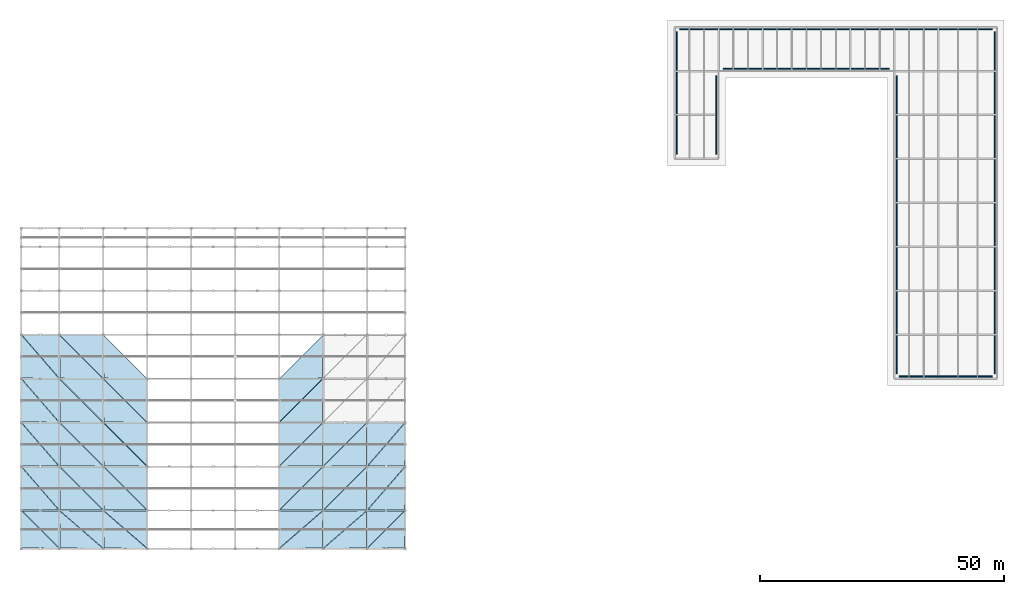
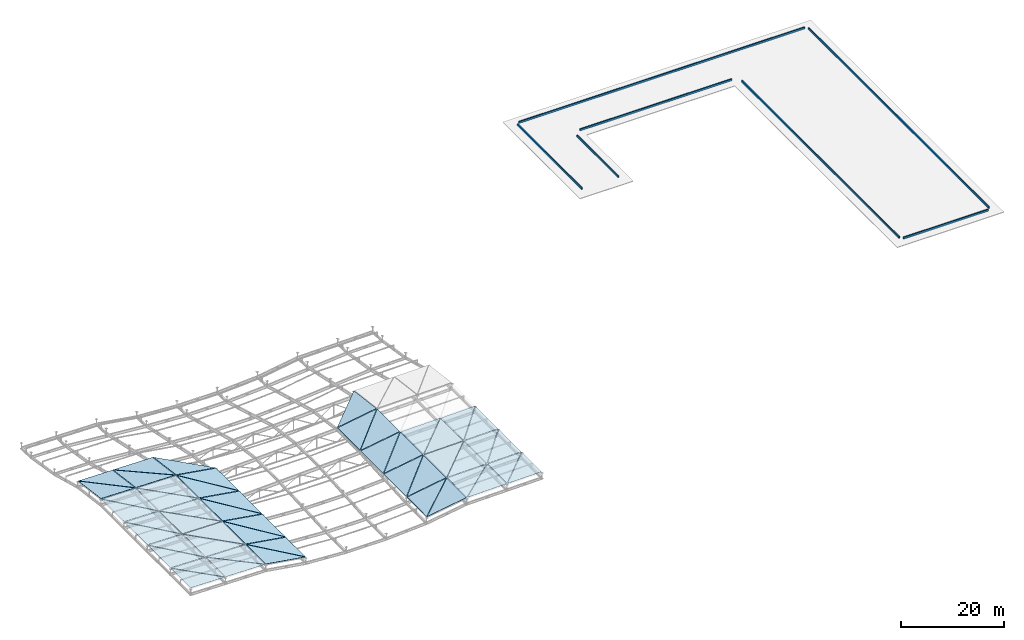
# One storey, part 78 of 80: 50 roofs, 7 walls.
"""IFC4 building model written with IfcOpenShell, lengths in metres."""

from ifc_helpers import new_model, si_unit, direction, frame, frame_2d, origin, place, context, subcontext, project, spatial, polyline, rectangle, outline, extrude, material, layer, layer_set, type_object, element, save


model = new_model("IFC4")

# Units and contexts
model_context = context("Model", 3, precision=1e-05, world=origin(), true_north=direction((0.0, 1.0)))
body_context = subcontext(model_context, "Body", "Model", "MODEL_VIEW")
ifc_project = project(units=[si_unit("LENGTHUNIT", "METRE"), si_unit("AREAUNIT", "SQUARE_METRE"), si_unit("VOLUMEUNIT", "CUBIC_METRE"), si_unit("PLANEANGLEUNIT", "RADIAN"), si_unit("MASSUNIT", "GRAM", prefix="KILO")], contexts=[model_context])

# Site, building, storey
site_placement = place(None, origin())
site = spatial("IfcSite", under=ifc_project, at=site_placement, CompositionType="ELEMENT")
building_placement = place(site_placement, origin())
building = spatial("IfcBuilding", under=site, at=building_placement, Name="Barlavento Convention Centre", CompositionType="ELEMENT")
storey_placement = place(building_placement, frame((0.0, 0.0, 29.800048828125)))
storey = spatial("IfcBuildingStorey", under=building, at=storey_placement, Name="RF", CompositionType="ELEMENT", Elevation=29.800048828125)

# Walls
ifc_material_1 = material(Name="Precast concrete C40/50 coping curb", Category="concrete")
ifc_layer_1 = layer(ifc_material_1, 0.22509765625)
ifc_layer_set_1 = layer_set([ifc_layer_1], Name="ARC-WL-PAR-225")
wall_type = type_object("IfcWallType", Name="ARC-WL-PAR-225", PredefinedType="PARAPET", material=ifc_layer_set_1)
wall_1_placement = place(storey_placement, frame((172.0, 27.449951171875, 0.08984375), z_axis=(0.0, 0.0, 1.0), x_axis=(1.0, 0.0, 0.0)))
element("IfcWall", 1, at=wall_1_placement, inside=storey, type_object=wall_type, Name="RF exterior wall PW01", PredefinedType="PARAPET", context=body_context, shape_type="SweptSolid", body=[
    extrude(rectangle(XDim=19.0, YDim=0.22509765625, at=frame_2d((9.5, 0.0))), origin(), (0.0, 0.0, 1.0), 0.489990234375),
])
wall_2_placement = place(storey_placement, frame((191.550048828125, 28.0, 0.08984375), z_axis=(0.0, 0.0, 1.0), x_axis=(0.0, 1.0, 0.0)))
element("IfcWall", 2, at=wall_2_placement, inside=storey, type_object=wall_type, Name="RF exterior wall PW01", PredefinedType="PARAPET", context=body_context, shape_type="SweptSolid", body=[
    extrude(rectangle(XDim=70.0, YDim=0.22509765625, at=frame_2d((35.0, 0.0))), origin(), (0.0, 0.0, 1.0), 0.489990234375),
])
wall_3_placement = place(storey_placement, frame((191.0, 98.550048828125, 0.08984375), z_axis=(0.0, 0.0, 1.0), x_axis=(-1.0, 0.0, 0.0)))
element("IfcWall", 3, at=wall_3_placement, inside=storey, type_object=wall_type, Name="RF exterior wall PW01", PredefinedType="PARAPET", context=body_context, shape_type="SweptSolid", body=[
    extrude(rectangle(XDim=64.0, YDim=0.22509765625, at=frame_2d((32.0, 0.0))), origin(), (0.0, 0.0, 1.0), 0.489990234375),
])
wall_4_placement = place(storey_placement, frame((126.449951171875, 98.0, 0.08984375), z_axis=(0.0, 0.0, 1.0), x_axis=(0.0, -1.0, 0.0)))
element("IfcWall", 4, at=wall_4_placement, inside=storey, type_object=wall_type, Name="RF exterior wall PW01", PredefinedType="PARAPET", context=body_context, shape_type="SweptSolid", body=[
    extrude(rectangle(XDim=25.0, YDim=0.22509765625, at=frame_2d((12.5, 0.0))), origin(), (0.0, 0.0, 1.0), 0.489990234375),
])
wall_5_placement = place(storey_placement, frame((134.550048828125, 73.0, 0.08984375), z_axis=(0.0, 0.0, 1.0), x_axis=(0.0, 1.0, 0.0)))
element("IfcWall", 5, at=wall_5_placement, inside=storey, type_object=wall_type, Name="RF exterior wall PW01", PredefinedType="PARAPET", context=body_context, shape_type="SweptSolid", body=[
    extrude(rectangle(XDim=16.0, YDim=0.22509765625, at=frame_2d((8.0, 0.0))), origin(), (0.0, 0.0, 1.0), 0.489990234375),
])
wall_6_placement = place(storey_placement, frame((136.0, 90.449951171875, 0.08984375), z_axis=(0.0, 0.0, 1.0), x_axis=(1.0, 0.0, 0.0)))
element("IfcWall", 6, at=wall_6_placement, inside=storey, type_object=wall_type, Name="RF exterior wall PW01", PredefinedType="PARAPET", context=body_context, shape_type="SweptSolid", body=[
    extrude(rectangle(XDim=34.0, YDim=0.22509765625, at=frame_2d((17.0, 0.0))), origin(), (0.0, 0.0, 1.0), 0.489990234375),
])
wall_7_placement = place(storey_placement, frame((171.449951171875, 89.0, 0.08984375), z_axis=(0.0, 0.0, 1.0), x_axis=(0.0, -1.0, 0.0)))
element("IfcWall", 7, at=wall_7_placement, inside=storey, type_object=wall_type, Name="RF exterior wall PW01", PredefinedType="PARAPET", context=body_context, shape_type="SweptSolid", body=[
    extrude(rectangle(XDim=61.0, YDim=0.22509765625, at=frame_2d((30.5, 0.0))), origin(), (0.0, 0.0, 1.0), 0.489990234375),
])

# Roofs
ifc_material_2 = material(Name="PVDF standing-seam aluminium roof deck", Category="aluminium")
ifc_layer_2 = layer(ifc_material_2, 0.050048828125)
ifc_layer_set_2 = layer_set([ifc_layer_2], Name="ARC-ROOF-CONG-FREE")
roof_type = type_object("IfcRoofType", Name="ARC-ROOF-CONG-FREE", PredefinedType="FREEFORM", material=ifc_layer_set_2)
roof_1_placement = place(storey_placement, frame((-7.715087890625, -7.715087890625, 1.8466796875), z_axis=(0.014503766492, -4.598938e-06, 0.999894814836), x_axis=(0.999886380747, -0.004107232012, -0.014503663043)))
element("IfcRoof", 8, at=roof_1_placement, inside=storey, type_object=roof_type, Name="Congress standing-seam roof deck 001", PredefinedType="FREEFORM", context=body_context, shape_type="SweptSolid", body=[
    extrude(outline(polyline([(0.0, 0.0), (7.608530491175136, -5.580253056511331e-18), (-0.06249998066341369, 7.6074734806393645), (0.0, 0.0)])), origin(), (0.0, 0.0, -1.0), 0.050048828125),
])
roof_2_placement = place(storey_placement, frame((-0.0537109375, -7.692626953125, 1.735595703125), z_axis=(0.014503766492, -4.598938e-06, 0.999894814836), x_axis=(-0.004107664063, 0.999991561453, 6.4182251e-05)))
element("IfcRoof", 9, at=roof_2_placement, inside=storey, type_object=roof_type, Name="Congress standing-seam roof deck 002", PredefinedType="FREEFORM", context=body_context, shape_type="SweptSolid", body=[
    extrude(outline(polyline([(0.0, 0.0), (7.607730213816349, -5.193158999616115e-18), (7.670236769018823, 7.608273730991708), (0.0, 0.0)])), origin(), (0.0, 0.0, -1.0), 0.050048828125),
])
roof_3_placement = place(storey_placement, frame((-7.721435546875, 0.0908203125, 1.846923828125), z_axis=(0.014517328325, 2.3009593e-05, 0.999894617772), x_axis=(0.999886467999, -0.004037873625, -0.01451711708)))
element("IfcRoof", 10, at=roof_3_placement, inside=storey, type_object=roof_type, Name="Congress standing-seam roof deck 003", PredefinedType="FREEFORM", context=body_context, shape_type="SweptSolid", body=[
    extrude(outline(polyline([(0.0, 0.0), (7.61829656107486, -2.9002408113987244e-18), (-0.06629131235279298, 8.798876322607494), (0.0, 0.0)])), origin(), (0.0, 0.0, -1.0), 0.050048828125),
])
roof_4_placement = place(storey_placement, frame((-0.047607421875, 0.110107421875, 1.735595703125), z_axis=(0.014517329951, 2.3412399e-05, 0.999894617739), x_axis=(-0.003523742723, 0.999993791214, 2.7746006e-05)))
element("IfcRoof", 11, at=roof_4_placement, inside=storey, type_object=roof_type, Name="Congress standing-seam roof deck 004", PredefinedType="FREEFORM", context=body_context, shape_type="SweptSolid", body=[
    extrude(outline(polyline([(0.0, 0.0), (8.799126897517237, 2.428443459778079e-18), (8.8567333631759, 7.6180787596085775), (0.0, 0.0)])), origin(), (0.0, 0.0, -1.0), 0.050048828125),
])
roof_5_placement = place(storey_placement, frame((-7.721435546875, 9.0908203125, 1.846923828125), z_axis=(0.014517328325, 2.3009593e-05, 0.999894617772), x_axis=(0.999886467999, -0.004037873625, -0.01451711708)))
element("IfcRoof", 12, at=roof_5_placement, inside=storey, type_object=roof_type, Name="Congress standing-seam roof deck 005", PredefinedType="FREEFORM", context=body_context, shape_type="SweptSolid", body=[
    extrude(outline(polyline([(0.0, 0.0), (7.61829656107486, -2.9002408113987244e-18), (-0.06629131235279298, 8.798876322607494), (0.0, 0.0)])), origin(), (0.0, 0.0, -1.0), 0.050048828125),
])
roof_6_placement = place(storey_placement, frame((-0.047607421875, 9.110107421875, 1.735595703125), z_axis=(0.014517329951, 2.3412399e-05, 0.999894617739), x_axis=(-0.003523742723, 0.999993791214, 2.7746006e-05)))
element("IfcRoof", 13, at=roof_6_placement, inside=storey, type_object=roof_type, Name="Congress standing-seam roof deck 006", PredefinedType="FREEFORM", context=body_context, shape_type="SweptSolid", body=[
    extrude(outline(polyline([(0.0, 0.0), (8.799126897517237, 2.428443459778079e-18), (8.8567333631759, 7.6180787596085775), (0.0, 0.0)])), origin(), (0.0, 0.0, -1.0), 0.050048828125),
])
roof_7_placement = place(storey_placement, frame((-7.721435546875, 18.0908203125, 1.846923828125), z_axis=(0.014517328325, 2.3009593e-05, 0.999894617772), x_axis=(0.999886467999, -0.004037873625, -0.01451711708)))
element("IfcRoof", 14, at=roof_7_placement, inside=storey, type_object=roof_type, Name="Congress standing-seam roof deck 007", PredefinedType="FREEFORM", context=body_context, shape_type="SweptSolid", body=[
    extrude(outline(polyline([(0.0, 0.0), (7.61829656107486, -2.9002408113987244e-18), (-0.06629131235279298, 8.798876322607494), (0.0, 0.0)])), origin(), (0.0, 0.0, -1.0), 0.050048828125),
])
roof_8_placement = place(storey_placement, frame((-0.047607421875, 18.110107421875, 1.735595703125), z_axis=(0.014517329951, 2.3412399e-05, 0.999894617739), x_axis=(-0.003523742723, 0.999993791214, 2.7746006e-05)))
element("IfcRoof", 15, at=roof_8_placement, inside=storey, type_object=roof_type, Name="Congress standing-seam roof deck 008", PredefinedType="FREEFORM", context=body_context, shape_type="SweptSolid", body=[
    extrude(outline(polyline([(0.0, 0.0), (8.799126897517237, 2.428443459778079e-18), (8.8567333631759, 7.6180787596085775), (0.0, 0.0)])), origin(), (0.0, 0.0, -1.0), 0.050048828125),
])
roof_9_placement = place(storey_placement, frame((-7.721435546875, 27.0908203125, 1.846923828125), z_axis=(0.014919485159, 0.130268549987, 0.99136648816), x_axis=(0.999886467999, -0.004037873625, -0.01451711708)))
element("IfcRoof", 16, at=roof_9_placement, inside=storey, type_object=roof_type, Name="Congress standing-seam roof deck 009", PredefinedType="FREEFORM", context=body_context, shape_type="SweptSolid", body=[
    extrude(outline(polyline([(0.0, 0.0), (7.61829656107486, -3.469446951953614e-18), (-0.049509439947426834, 8.874567763272507), (0.0, 0.0)])), origin(), (0.0, 0.0, -1.0), 0.050048828125),
])
roof_10_placement = place(storey_placement, frame((-0.047607421875, 27.110107421875, 1.735595703125), z_axis=(0.013808914611, 0.130834971504, 0.991307986505), x_axis=(-0.003493470009, 0.991402776304, -0.13079881805)))
element("IfcRoof", 17, at=roof_10_placement, inside=storey, type_object=roof_type, Name="Congress standing-seam roof deck 010", PredefinedType="FREEFORM", context=body_context, shape_type="SweptSolid", body=[
    extrude(outline(polyline([(0.0, 0.0), (8.875375857252152, 3.469446951953614e-18), (8.919136258037602, 7.618051619161699), (0.0, 0.0)])), origin(), (0.0, 0.0, -1.0), 0.050048828125),
])
roof_11_placement = place(storey_placement, frame((0.0908203125, -7.721435546875, 1.7333984375), z_axis=(0.014481966408, -5.610798e-06, 0.99989513081), x_axis=(0.999889021448, -0.00349563044, -0.014481897539)))
element("IfcRoof", 18, at=roof_11_placement, inside=storey, type_object=roof_type, Name="Congress standing-seam roof deck 017", PredefinedType="FREEFORM", context=body_context, shape_type="SweptSolid", body=[
    extrude(outline(polyline([(0.0, 0.0), (8.80004888231074, -7.4454196063653e-19), (-0.05739310201864059, 7.6172775552158125), (0.0, 0.0)])), origin(), (0.0, 0.0, -1.0), 0.050048828125),
])
roof_12_placement = place(storey_placement, frame((8.93994140625, -7.696044921875, 1.605224609375), z_axis=(0.014509816979, 2.6548579e-05, 0.999894726712), x_axis=(-0.004038299174, 0.999991845523, 3.2049993e-05)))
element("IfcRoof", 19, at=roof_12_placement, inside=storey, type_object=roof_type, Name="Congress standing-seam roof deck 018", PredefinedType="FREEFORM", context=body_context, shape_type="SweptSolid", body=[
    extrude(outline(polyline([(0.0, 0.0), (7.617493757302332, -4.487157038079656e-18), (7.684036742426182, 8.799801686914213), (0.0, 0.0)])), origin(), (0.0, 0.0, -1.0), 0.050048828125),
])
roof_13_placement = place(storey_placement, frame((0.0849609375, 0.0849609375, 1.733642578125), z_axis=(0.014495635261, -4.001235e-06, 0.999894932752), x_axis=(0.999888640214, -0.003547670084, -0.014495558234)))
element("IfcRoof", 20, at=roof_13_placement, inside=storey, type_object=roof_type, Name="Congress standing-seam roof deck 019", PredefinedType="FREEFORM", context=body_context, shape_type="SweptSolid", body=[
    extrude(outline(polyline([(0.0, 0.0), (8.808598111102933, 1.5771753477875072e-18), (-0.06250011792265223, 8.80745088307188), (0.0, 0.0)])), origin(), (0.0, 0.0, -1.0), 0.050048828125),
])
roof_14_placement = place(storey_placement, frame((8.9462890625, 0.107421875, 1.60498046875), z_axis=(0.014495635261, -4.001235e-06, 0.999894932752), x_axis=(-0.003548042858, 0.999993704139, 5.543817e-05)))
element("IfcRoof", 21, at=roof_14_placement, inside=storey, type_object=roof_type, Name="Congress standing-seam roof deck 020", PredefinedType="FREEFORM", context=body_context, shape_type="SweptSolid", body=[
    extrude(outline(polyline([(0.0, 0.0), (8.807672639378918, 8.775261333554552e-19), (8.870179324540642, 8.808376331494713), (0.0, 0.0)])), origin(), (0.0, 0.0, -1.0), 0.050048828125),
])
roof_15_placement = place(storey_placement, frame((0.0849609375, 9.0849609375, 1.733642578125), z_axis=(0.014495635261, -4.001235e-06, 0.999894932752), x_axis=(0.999888640214, -0.003547670084, -0.014495558234)))
element("IfcRoof", 22, at=roof_15_placement, inside=storey, type_object=roof_type, Name="Congress standing-seam roof deck 021", PredefinedType="FREEFORM", context=body_context, shape_type="SweptSolid", body=[
    extrude(outline(polyline([(0.0, 0.0), (8.808598111102933, 1.5771753477875072e-18), (-0.06250011792265223, 8.80745088307188), (0.0, 0.0)])), origin(), (0.0, 0.0, -1.0), 0.050048828125),
])
roof_16_placement = place(storey_placement, frame((8.9462890625, 9.107421875, 1.60498046875), z_axis=(0.014495635261, -4.001235e-06, 0.999894932752), x_axis=(-0.003548042858, 0.999993704139, 5.543817e-05)))
element("IfcRoof", 23, at=roof_16_placement, inside=storey, type_object=roof_type, Name="Congress standing-seam roof deck 022", PredefinedType="FREEFORM", context=body_context, shape_type="SweptSolid", body=[
    extrude(outline(polyline([(0.0, 0.0), (8.807672639378918, 8.775261333554552e-19), (8.870179324540642, 8.808376331494713), (0.0, 0.0)])), origin(), (0.0, 0.0, -1.0), 0.050048828125),
])
roof_17_placement = place(storey_placement, frame((0.0849609375, 18.0849609375, 1.733642578125), z_axis=(0.014495635261, -4.001235e-06, 0.999894932752), x_axis=(0.999888640214, -0.003547670084, -0.014495558234)))
element("IfcRoof", 24, at=roof_17_placement, inside=storey, type_object=roof_type, Name="Congress standing-seam roof deck 023", PredefinedType="FREEFORM", context=body_context, shape_type="SweptSolid", body=[
    extrude(outline(polyline([(0.0, 0.0), (8.808598111102933, 1.5771753477875072e-18), (-0.06250011792265223, 8.80745088307188), (0.0, 0.0)])), origin(), (0.0, 0.0, -1.0), 0.050048828125),
])
roof_18_placement = place(storey_placement, frame((8.9462890625, 18.107421875, 1.60498046875), z_axis=(0.014495635261, -4.001235e-06, 0.999894932752), x_axis=(-0.003548042858, 0.999993704139, 5.543817e-05)))
element("IfcRoof", 25, at=roof_18_placement, inside=storey, type_object=roof_type, Name="Congress standing-seam roof deck 024", PredefinedType="FREEFORM", context=body_context, shape_type="SweptSolid", body=[
    extrude(outline(polyline([(0.0, 0.0), (8.807672639378918, 8.775261333554552e-19), (8.870179324540642, 8.808376331494713), (0.0, 0.0)])), origin(), (0.0, 0.0, -1.0), 0.050048828125),
])
roof_19_placement = place(storey_placement, frame((0.0849609375, 27.0849609375, 1.733642578125), z_axis=(0.014834161121, 0.130226032628, 0.991373354539), x_axis=(0.999888640214, -0.003547670084, -0.014495558234)))
element("IfcRoof", 26, at=roof_19_placement, inside=storey, type_object=roof_type, Name="Congress standing-seam roof deck 025", PredefinedType="FREEFORM", context=body_context, shape_type="SweptSolid", body=[
    extrude(outline(polyline([(0.0, 0.0), (8.808598111102933, 3.469446951953614e-18), (-0.04572901185122609, 8.883157357540192), (0.0, 0.0)])), origin(), (0.0, 0.0, -1.0), 0.050048828125),
])
roof_20_placement = place(storey_placement, frame((8.9462890625, 27.107421875, 1.60498046875), z_axis=(0.013901160076, 0.130872789852, 0.991301705146), x_axis=(-0.003517543908, 0.991397765821, -0.130836144891)))
element("IfcRoof", 27, at=roof_20_placement, inside=storey, type_object=roof_type, Name="Congress standing-seam roof deck 026", PredefinedType="FREEFORM", context=body_context, shape_type="SweptSolid", body=[
    extrude(outline(polyline([(0.0, 0.0), (8.884039778126345, 3.469446951953614e-18), (8.930382295997118, 8.808359789276672), (0.0, 0.0)])), origin(), (0.0, 0.0, -1.0), 0.050048828125),
])
roof_21_placement = place(storey_placement, frame((9.0908203125, -7.721435546875, 1.60302734375), z_axis=(0.156614591756, 0.000569152248, 0.987659630498), x_axis=(0.987654210676, -0.003452857317, -0.156611742571)))
element("IfcRoof", 28, at=roof_21_placement, inside=storey, type_object=roof_type, Name="Congress standing-seam roof deck 033", PredefinedType="FREEFORM", context=body_context, shape_type="SweptSolid", body=[
    extrude(outline(polyline([(0.0, 0.0), (8.909061664007364, -2.168404344971009e-19), (-0.0567603162019941, 7.61728229671571), (0.0, 0.0)])), origin(), (0.0, 0.0, -1.0), 0.050048828125),
])
roof_22_placement = place(storey_placement, frame((17.93994140625, -7.696044921875, 0.200439453125), z_axis=(0.156880194269, 6.377318e-05, 0.987617638856), x_axis=(-0.004038298504, 0.999991679631, 0.000576899786)))
element("IfcRoof", 29, at=roof_22_placement, inside=storey, type_object=roof_type, Name="Congress standing-seam roof deck 034", PredefinedType="FREEFORM", context=body_context, shape_type="SweptSolid", body=[
    extrude(outline(polyline([(0.0, 0.0), (7.617495020992153, -9.75781955236954e-19), (7.684840238517646, 8.909190659431388), (0.0, 0.0)])), origin(), (0.0, 0.0, -1.0), 0.050048828125),
])
roof_23_placement = place(storey_placement, frame((9.0849609375, 0.0849609375, 1.60302734375), z_axis=(0.156492876197, 0.000500491469, 0.987678960598), x_axis=(0.987673294242, -0.00350432924, -0.156490202625)))
element("IfcRoof", 30, at=roof_23_placement, inside=storey, type_object=roof_type, Name="Congress standing-seam roof deck 035", PredefinedType="FREEFORM", context=body_context, shape_type="SweptSolid", body=[
    extrude(outline(polyline([(0.0, 0.0), (8.917541092632764, 2.8189256484623115e-18), (-0.06180599212188231, 8.807455781427564), (0.0, 0.0)])), origin(), (0.0, 0.0, -1.0), 0.050048828125),
])
roof_24_placement = place(storey_placement, frame((17.9462890625, 0.107421875, 0.199462890625), z_axis=(0.156838454649, 3.632501e-05, 0.98762426956), x_axis=(-0.003548042371, 0.99999356699, 0.000526662539)))
element("IfcRoof", 31, at=roof_24_placement, inside=storey, type_object=roof_type, Name="Congress standing-seam roof deck 036", PredefinedType="FREEFORM", context=body_context, shape_type="SweptSolid", body=[
    extrude(outline(polyline([(0.0, 0.0), (8.807673847351648, -1.5178830414797062e-18), (8.870910078513258, 8.917814115293913), (0.0, 0.0)])), origin(), (0.0, 0.0, -1.0), 0.050048828125),
])
roof_25_placement = place(storey_placement, frame((9.0849609375, 9.0849609375, 1.60302734375), z_axis=(0.156492876197, 0.000500491469, 0.987678960598), x_axis=(0.987673294242, -0.00350432924, -0.156490202625)))
element("IfcRoof", 32, at=roof_25_placement, inside=storey, type_object=roof_type, Name="Congress standing-seam roof deck 037", PredefinedType="FREEFORM", context=body_context, shape_type="SweptSolid", body=[
    extrude(outline(polyline([(0.0, 0.0), (8.917541092632764, 2.8189256484623115e-18), (-0.06180599212188231, 8.807455781427564), (0.0, 0.0)])), origin(), (0.0, 0.0, -1.0), 0.050048828125),
])
roof_26_placement = place(storey_placement, frame((17.9462890625, 9.107421875, 0.199462890625), z_axis=(0.156838454649, 3.632501e-05, 0.98762426956), x_axis=(-0.003548042371, 0.99999356699, 0.000526662539)))
element("IfcRoof", 33, at=roof_26_placement, inside=storey, type_object=roof_type, Name="Congress standing-seam roof deck 038", PredefinedType="FREEFORM", context=body_context, shape_type="SweptSolid", body=[
    extrude(outline(polyline([(0.0, 0.0), (8.807673847351648, -1.5178830414797062e-18), (8.870910078513258, 8.917814115293913), (0.0, 0.0)])), origin(), (0.0, 0.0, -1.0), 0.050048828125),
])
roof_27_placement = place(storey_placement, frame((9.0849609375, 18.0849609375, 1.60302734375), z_axis=(0.156492876197, 0.000500491469, 0.987678960598), x_axis=(0.987673294242, -0.00350432924, -0.156490202625)))
element("IfcRoof", 34, at=roof_27_placement, inside=storey, type_object=roof_type, Name="Congress standing-seam roof deck 039", PredefinedType="FREEFORM", context=body_context, shape_type="SweptSolid", body=[
    extrude(outline(polyline([(0.0, 0.0), (8.917541092632764, 2.8189256484623115e-18), (-0.06180599212188231, 8.807455781427564), (0.0, 0.0)])), origin(), (0.0, 0.0, -1.0), 0.050048828125),
])
roof_28_placement = place(storey_placement, frame((17.9462890625, 18.107421875, 0.199462890625), z_axis=(0.156838454649, 3.632501e-05, 0.98762426956), x_axis=(-0.003548042371, 0.99999356699, 0.000526662539)))
element("IfcRoof", 35, at=roof_28_placement, inside=storey, type_object=roof_type, Name="Congress standing-seam roof deck 040", PredefinedType="FREEFORM", context=body_context, shape_type="SweptSolid", body=[
    extrude(outline(polyline([(0.0, 0.0), (8.807673847351648, -1.5178830414797062e-18), (8.870910078513258, 8.917814115293913), (0.0, 0.0)])), origin(), (0.0, 0.0, -1.0), 0.050048828125),
])
roof_29_placement = place(storey_placement, frame((9.0849609375, 27.0849609375, 1.60302734375), z_axis=(0.155627637109, 0.129145170396, 0.979337308352), x_axis=(0.987673294242, -0.00350432924, -0.156490202625)))
element("IfcRoof", 36, at=roof_29_placement, inside=storey, type_object=roof_type, Name="Congress standing-seam roof deck 041", PredefinedType="FREEFORM", context=body_context, shape_type="SweptSolid", body=[
    extrude(outline(polyline([(0.0, 0.0), (8.917541092632764, 0.0), (0.11925042151052798, 8.882474605554183), (0.0, 0.0)])), origin(), (0.0, 0.0, -1.0), 0.050048828125),
])
roof_30_placement = place(storey_placement, frame((45.110107421875, -7.752197265625, 0.207763671875), z_axis=(-0.156614591756, 0.000569152248, 0.987659630498), x_axis=(0.987654210676, 0.003452857317, 0.156611742571)))
element("IfcRoof", 37, at=roof_30_placement, inside=storey, type_object=roof_type, Name="Congress standing-seam roof deck 097", PredefinedType="FREEFORM", context=body_context, shape_type="SweptSolid", body=[
    extrude(outline(polyline([(0.0, 0.0), (8.909061664007364, 2.168404344971009e-19), (8.965821980209357, 7.617282296715711), (0.0, 0.0)])), origin(), (0.0, 0.0, -1.0), 0.050048828125),
])
roof_31_placement = place(storey_placement, frame((45.06005859375, -7.696044921875, 0.200439453125), z_axis=(-0.156880194269, 6.377318e-05, 0.987617638856), x_axis=(0.750475858777, 0.650065189365, 0.11916893458)))
element("IfcRoof", 38, at=roof_31_placement, inside=storey, type_object=roof_type, Name="Congress standing-seam roof deck 098", PredefinedType="FREEFORM", context=body_context, shape_type="SweptSolid", body=[
    extrude(outline(polyline([(0.0, 0.0), (11.76564693068934, 6.38378239159465e-16), (4.975436760841043, 5.768124429458143), (0.0, 0.0)])), origin(), (0.0, 0.0, -1.0), 0.050048828125),
])
roof_32_placement = place(storey_placement, frame((45.107421875, 0.0537109375, 0.20751953125), z_axis=(-0.156492876197, 0.000500491469, 0.987678960598), x_axis=(0.987673294242, 0.00350432924, 0.156490202625)))
element("IfcRoof", 39, at=roof_32_placement, inside=storey, type_object=roof_type, Name="Congress standing-seam roof deck 099", PredefinedType="FREEFORM", context=body_context, shape_type="SweptSolid", body=[
    extrude(outline(polyline([(0.0, 0.0), (8.917541092632764, -2.8189256484623115e-18), (8.979347084754647, 8.807455781427564), (0.0, 0.0)])), origin(), (0.0, 0.0, -1.0), 0.050048828125),
])
roof_33_placement = place(storey_placement, frame((45.0537109375, 0.107421875, 0.199462890625), z_axis=(-0.156838454649, 3.632501e-05, 0.98762426956), x_axis=(0.702692462053, 0.702692462053, 0.111564365039)))
element("IfcRoof", 40, at=roof_33_placement, inside=storey, type_object=roof_type, Name="Congress standing-seam roof deck 100", PredefinedType="FREEFORM", context=body_context, shape_type="SweptSolid", body=[
    extrude(outline(polyline([(0.0, 0.0), (12.578571231105837, 5.551115123125783e-16), (6.211522856229868, 6.244365652959164), (0.0, 0.0)])), origin(), (0.0, 0.0, -1.0), 0.050048828125),
])
roof_34_placement = place(storey_placement, frame((45.107421875, 9.0537109375, 0.20751953125), z_axis=(-0.156492876197, 0.000500491469, 0.987678960598), x_axis=(0.987673294242, 0.00350432924, 0.156490202625)))
element("IfcRoof", 41, at=roof_34_placement, inside=storey, type_object=roof_type, Name="Congress standing-seam roof deck 101", PredefinedType="FREEFORM", context=body_context, shape_type="SweptSolid", body=[
    extrude(outline(polyline([(0.0, 0.0), (8.917541092632764, -2.8189256484623115e-18), (8.979347084754647, 8.807455781427564), (0.0, 0.0)])), origin(), (0.0, 0.0, -1.0), 0.050048828125),
])
roof_35_placement = place(storey_placement, frame((45.0537109375, 9.107421875, 0.199462890625), z_axis=(-0.156838454649, 3.632501e-05, 0.98762426956), x_axis=(0.702692462053, 0.702692462053, 0.111564365039)))
element("IfcRoof", 42, at=roof_35_placement, inside=storey, type_object=roof_type, Name="Congress standing-seam roof deck 102", PredefinedType="FREEFORM", context=body_context, shape_type="SweptSolid", body=[
    extrude(outline(polyline([(0.0, 0.0), (12.578571231105837, 5.551115123125783e-16), (6.211522856229868, 6.244365652959164), (0.0, 0.0)])), origin(), (0.0, 0.0, -1.0), 0.050048828125),
])
roof_36_placement = place(storey_placement, frame((45.107421875, 18.0537109375, 0.20751953125), z_axis=(-0.156492876197, 0.000500491469, 0.987678960598), x_axis=(0.987673294242, 0.00350432924, 0.156490202625)))
element("IfcRoof", 43, at=roof_36_placement, inside=storey, type_object=roof_type, Name="Congress standing-seam roof deck 103", PredefinedType="FREEFORM", context=body_context, shape_type="SweptSolid", body=[
    extrude(outline(polyline([(0.0, 0.0), (8.917541092632764, -2.8189256484623115e-18), (8.979347084754647, 8.807455781427564), (0.0, 0.0)])), origin(), (0.0, 0.0, -1.0), 0.050048828125),
])
roof_37_placement = place(storey_placement, frame((45.0537109375, 18.107421875, 0.199462890625), z_axis=(-0.156838454649, 3.632501e-05, 0.98762426956), x_axis=(0.702692462053, 0.702692462053, 0.111564365039)))
element("IfcRoof", 44, at=roof_37_placement, inside=storey, type_object=roof_type, Name="Congress standing-seam roof deck 104", PredefinedType="FREEFORM", context=body_context, shape_type="SweptSolid", body=[
    extrude(outline(polyline([(0.0, 0.0), (12.578571231105837, 5.551115123125783e-16), (6.211522856229868, 6.244365652959164), (0.0, 0.0)])), origin(), (0.0, 0.0, -1.0), 0.050048828125),
])
roof_38_placement = place(storey_placement, frame((45.107421875, 27.0537109375, 0.20751953125), z_axis=(-0.155627637109, 0.129145170396, 0.979337308352), x_axis=(0.987673294242, 0.00350432924, 0.156490202625)))
element("IfcRoof", 45, at=roof_38_placement, inside=storey, type_object=roof_type, Name="Congress standing-seam roof deck 105", PredefinedType="FREEFORM", context=body_context, shape_type="SweptSolid", body=[
    extrude(outline(polyline([(0.0, 0.0), (8.917541092632764, 0.0), (8.798290671122237, 8.882474605554183), (0.0, 0.0)])), origin(), (0.0, 0.0, -1.0), 0.050048828125),
])
roof_39_placement = place(storey_placement, frame((54.110107421875, -7.752197265625, 1.60595703125), z_axis=(-0.014481966408, -5.610798e-06, 0.99989513081), x_axis=(0.999889021448, 0.00349563044, 0.014481897539)))
element("IfcRoof", 46, at=roof_39_placement, inside=storey, type_object=roof_type, Name="Congress standing-seam roof deck 113", PredefinedType="FREEFORM", context=body_context, shape_type="SweptSolid", body=[
    extrude(outline(polyline([(0.0, 0.0), (8.80004888231074, 7.4454196063653e-19), (8.85744198432938, 7.6172775552158125), (0.0, 0.0)])), origin(), (0.0, 0.0, -1.0), 0.050048828125),
])
roof_40_placement = place(storey_placement, frame((54.06005859375, -7.696044921875, 1.605224609375), z_axis=(-0.014509816979, 2.6548579e-05, 0.999894726712), x_axis=(0.755816817353, 0.654691549038, 0.010950535358)))
element("IfcRoof", 47, at=roof_40_placement, inside=storey, type_object=roof_type, Name="Congress standing-seam roof deck 114", PredefinedType="FREEFORM", context=body_context, shape_type="SweptSolid", body=[
    extrude(outline(polyline([(0.0, 0.0), (11.682505312987184, 7.13621869929959e-16), (5.0103210183215765, 5.737847543801162), (0.0, 0.0)])), origin(), (0.0, 0.0, -1.0), 0.050048828125),
])
roof_41_placement = place(storey_placement, frame((54.107421875, 0.0537109375, 1.60595703125), z_axis=(-0.014495635261, -4.001235e-06, 0.999894932752), x_axis=(0.999888640214, 0.003547670084, 0.014495558234)))
element("IfcRoof", 48, at=roof_41_placement, inside=storey, type_object=roof_type, Name="Congress standing-seam roof deck 115", PredefinedType="FREEFORM", context=body_context, shape_type="SweptSolid", body=[
    extrude(outline(polyline([(0.0, 0.0), (8.808598111102933, -1.5771753477875072e-18), (8.871098229025588, 8.80745088307188), (0.0, 0.0)])), origin(), (0.0, 0.0, -1.0), 0.050048828125),
])
roof_42_placement = place(storey_placement, frame((54.0537109375, 0.107421875, 1.60498046875), z_axis=(-0.014495635261, -4.001235e-06, 0.999894932752), x_axis=(0.70706961087, 0.70706961087, 0.010253329624)))
element("IfcRoof", 49, at=roof_42_placement, inside=storey, type_object=roof_type, Name="Congress standing-seam roof deck 116", PredefinedType="FREEFORM", context=body_context, shape_type="SweptSolid", body=[
    extrude(outline(polyline([(0.0, 0.0), (12.500702974102877, 4.0635897424756706e-16), (6.249699389305578, 6.206154595703968), (0.0, 0.0)])), origin(), (0.0, 0.0, -1.0), 0.050048828125),
])
roof_43_placement = place(storey_placement, frame((54.107421875, 9.0537109375, 1.60595703125), z_axis=(-0.014495635261, -4.001235e-06, 0.999894932752), x_axis=(0.999888640214, 0.003547670084, 0.014495558234)))
element("IfcRoof", 50, at=roof_43_placement, inside=storey, type_object=roof_type, Name="Congress standing-seam roof deck 117", PredefinedType="FREEFORM", context=body_context, shape_type="SweptSolid", body=[
    extrude(outline(polyline([(0.0, 0.0), (8.808598111102933, -1.5771753477875072e-18), (8.871098229025588, 8.80745088307188), (0.0, 0.0)])), origin(), (0.0, 0.0, -1.0), 0.050048828125),
])
roof_44_placement = place(storey_placement, frame((54.0537109375, 9.107421875, 1.60498046875), z_axis=(-0.014495635261, -4.001235e-06, 0.999894932752), x_axis=(0.70706961087, 0.70706961087, 0.010253329624)))
element("IfcRoof", 51, at=roof_44_placement, inside=storey, type_object=roof_type, Name="Congress standing-seam roof deck 118", PredefinedType="FREEFORM", context=body_context, shape_type="SweptSolid", body=[
    extrude(outline(polyline([(0.0, 0.0), (12.500702974102877, 4.0635897424756706e-16), (6.249699389305578, 6.206154595703968), (0.0, 0.0)])), origin(), (0.0, 0.0, -1.0), 0.050048828125),
])
roof_45_placement = place(storey_placement, frame((63.107421875, -7.746337890625, 1.736328125), z_axis=(-0.014503766492, -4.598938e-06, 0.999894814836), x_axis=(0.999886380747, 0.004107232012, 0.014503663043)))
element("IfcRoof", 52, at=roof_45_placement, inside=storey, type_object=roof_type, Name="Congress standing-seam roof deck 129", PredefinedType="FREEFORM", context=body_context, shape_type="SweptSolid", body=[
    extrude(outline(polyline([(0.0, 0.0), (7.608530491175136, 5.580253056511331e-18), (7.6710304718385505, 7.6074734806393645), (0.0, 0.0)])), origin(), (0.0, 0.0, -1.0), 0.050048828125),
])
roof_46_placement = place(storey_placement, frame((63.0537109375, -7.692626953125, 1.735595703125), z_axis=(-0.014503766492, -4.598938e-06, 0.999894814836), x_axis=(0.707069566097, 0.707069566097, 0.010259502797)))
element("IfcRoof", 53, at=roof_46_placement, inside=storey, type_object=roof_type, Name="Congress standing-seam roof deck 130", PredefinedType="FREEFORM", context=body_context, shape_type="SweptSolid", body=[
    extrude(outline(polyline([(0.0, 0.0), (10.803627226932017, 1.2923689896027213e-16), (5.401250042145384, 5.357616726534162), (0.0, 0.0)])), origin(), (0.0, 0.0, -1.0), 0.050048828125),
])
roof_47_placement = place(storey_placement, frame((63.10400390625, 0.06005859375, 1.736328125), z_axis=(-0.014517328325, 2.3009593e-05, 0.999894617772), x_axis=(0.999886467999, 0.004037873625, 0.01451711708)))
element("IfcRoof", 54, at=roof_47_placement, inside=storey, type_object=roof_type, Name="Congress standing-seam roof deck 131", PredefinedType="FREEFORM", context=body_context, shape_type="SweptSolid", body=[
    extrude(outline(polyline([(0.0, 0.0), (7.61829656107486, 2.9002408113987244e-18), (7.684587873427654, 8.798876322607493), (0.0, 0.0)])), origin(), (0.0, 0.0, -1.0), 0.050048828125),
])
roof_48_placement = place(storey_placement, frame((63.047607421875, 0.110107421875, 1.735595703125), z_axis=(-0.014517329951, 2.3412399e-05, 0.999894617739), x_axis=(0.654701336306, 0.755828116387, 0.009487819417)))
element("IfcRoof", 55, at=roof_48_placement, inside=storey, type_object=roof_type, Name="Congress standing-seam roof deck 132", PredefinedType="FREEFORM", context=body_context, shape_type="SweptSolid", body=[
    extrude(outline(polyline([(0.0, 0.0), (11.682330668748959, -1.3986208025063007e-16), (6.670888110412041, 5.737933946724603), (0.0, 0.0)])), origin(), (0.0, 0.0, -1.0), 0.050048828125),
])
roof_49_placement = place(storey_placement, frame((63.10400390625, 9.06005859375, 1.736328125), z_axis=(-0.014517328325, 2.3009593e-05, 0.999894617772), x_axis=(0.999886467999, 0.004037873625, 0.01451711708)))
element("IfcRoof", 56, at=roof_49_placement, inside=storey, type_object=roof_type, Name="Congress standing-seam roof deck 133", PredefinedType="FREEFORM", context=body_context, shape_type="SweptSolid", body=[
    extrude(outline(polyline([(0.0, 0.0), (7.61829656107486, 2.9002408113987244e-18), (7.684587873427654, 8.798876322607493), (0.0, 0.0)])), origin(), (0.0, 0.0, -1.0), 0.050048828125),
])
roof_50_placement = place(storey_placement, frame((63.047607421875, 9.110107421875, 1.735595703125), z_axis=(-0.014517329951, 2.3412399e-05, 0.999894617739), x_axis=(0.654701336306, 0.755828116387, 0.009487819417)))
element("IfcRoof", 57, at=roof_50_placement, inside=storey, type_object=roof_type, Name="Congress standing-seam roof deck 134", PredefinedType="FREEFORM", context=body_context, shape_type="SweptSolid", body=[
    extrude(outline(polyline([(0.0, 0.0), (11.682330668748959, -1.3986208025063007e-16), (6.670888110412041, 5.737933946724603), (0.0, 0.0)])), origin(), (0.0, 0.0, -1.0), 0.050048828125),
])

save(model, "model.ifc")
